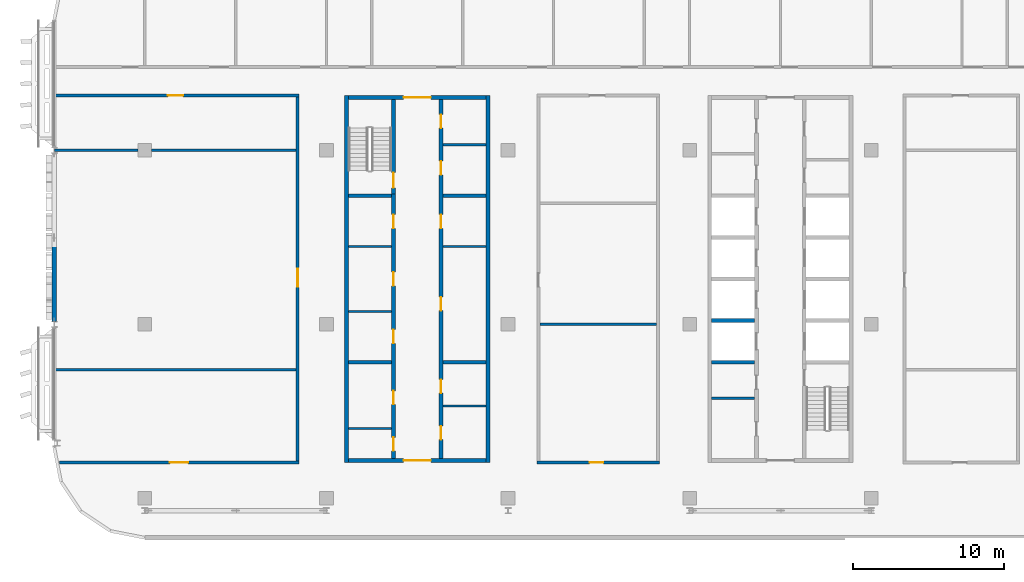
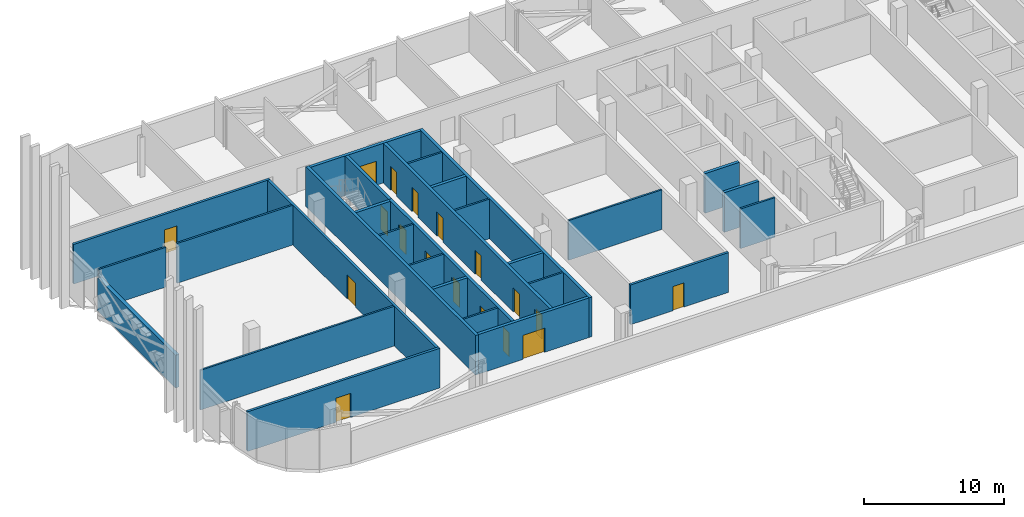
# One storey, part 12 of 30: 29 walls, 18 doors, 18 openings.
"""IFC4 building model written with IfcOpenShell, lengths in metres."""

from ifc_helpers import new_model, si_unit, direction, frame, frame_2d, origin, place, context, subcontext, project, spatial, rectangle, extrude, material, layer, layer_set, type_object, element, fill, save


model = new_model("IFC4")

# Units and contexts
model_context = context("Model", 3, precision=1e-05, world=origin(), true_north=direction((0.0, 1.0)))
body_context = subcontext(model_context, "Body", "Model", "MODEL_VIEW")
ifc_project = project(units=[si_unit("LENGTHUNIT", "METRE"), si_unit("AREAUNIT", "SQUARE_METRE"), si_unit("VOLUMEUNIT", "CUBIC_METRE"), si_unit("PLANEANGLEUNIT", "RADIAN"), si_unit("MASSUNIT", "GRAM", prefix="KILO")], contexts=[model_context])

# Site, building, storey
site_placement = place(None, origin())
site = spatial("IfcSite", under=ifc_project, at=site_placement, CompositionType="ELEMENT")
building_placement = place(site_placement, origin())
building = spatial("IfcBuilding", under=site, at=building_placement, Name="Mahtab Terrace Research Tower", CompositionType="ELEMENT")
storey_placement = place(building_placement, frame((0.0, 0.0, 263.300048828125)))
storey = spatial("IfcBuildingStorey", under=building, at=storey_placement, Name="L64", CompositionType="ELEMENT", Elevation=263.300048828125)

# Walls
ifc_material_1 = material(Name="Gypsum board partition")
ifc_layer_1 = layer(ifc_material_1, 0.14990234375)
ifc_layer_set_1 = layer_set([ifc_layer_1], Name="Core partition 150")
wall_type_1 = type_object("IfcWallType", Name="Core partition 150", PredefinedType="PARTITIONING", material=ifc_layer_set_1)
for number, where, z_axis, x_axis, name in (
    (1, (-28.550048828125, 0.85009765625, 0.0), (0.0, 0.0, 1.0), (1.0, 0.0, 0.0), "Core wall A pWL-215"),
    (2, (-28.550048828125, 5.14990234375, 0.0), (0.0, 0.0, 1.0), (1.0, 0.0, 0.0), "Core wall A pWL215"),
    (3, (-22.300048828125, 5.14990234375, 0.0), (0.0, 0.0, 1.0), (1.0, 0.0, 0.0), "Core wall A pEL215"),
    (4, (-28.550048828125, -6.875, 0.0), (0.0, 0.0, 1.0), (1.0, 0.0, 0.0), "Core wall A pWS-988"),
    (5, (-22.300048828125, -5.39501953125, 0.0), (0.0, 0.0, 1.0), (1.0, 0.0, 0.0), "Core wall A pES-840"),
    (6, (-22.300048828125, 11.875, 0.0), (0.0, 0.0, 1.0), (1.0, 0.0, 0.0), "Core wall A pEN888"),
    (7, (-4.550048828125, -4.875, 0.0), (0.0, 0.0, 1.0), (1.0, 0.0, 0.0), "Core wall B pWS-788"),
):
    element("IfcWall", number, at=place(storey_placement, frame(where, z_axis=z_axis, x_axis=x_axis)), inside=storey, type_object=wall_type_1, Name=name, PredefinedType="PARTITIONING", context=body_context, shape_type="SweptSolid", body=[
        extrude(rectangle(XDim=2.85009765625, YDim=0.14990234375, at=frame_2d((1.425048828125, 0.0))), origin(), (0.0, 0.0, 1.0), 3.4599609375),
    ])
ifc_material_2 = material(Name="Concrete C70/85", Category="concrete")
ifc_layer_2 = layer(ifc_material_2, 0.25)
ifc_layer_set_2 = layer_set([ifc_layer_2], Name="Core wall 250")
wall_type_2 = type_object("IfcWallType", Name="Core wall 250", PredefinedType="SOLIDWALL", material=ifc_layer_set_2)
for number, where, z_axis, x_axis, name in (
    (8, (-28.675048828125, 15.125, 0.0), (0.0, 0.0, 1.0), (0.0, -1.0, 0.0), "Core wall A outerW"),
    (9, (-19.324951171875, -9.125, 0.0), (0.0, 0.0, 1.0), (0.0, 1.0, 0.0), "Core wall A outerE"),
):
    element("IfcWall", number, at=place(storey_placement, frame(where, z_axis=z_axis, x_axis=x_axis)), inside=storey, type_object=wall_type_2, Name=name, PredefinedType="SOLIDWALL", context=body_context, shape_type="SweptSolid", body=[
        extrude(rectangle(XDim=24.25, YDim=0.25, at=frame_2d((12.125, 0.0))), origin(), (0.0, 0.0, 1.0), 3.4599609375),
    ])

# Wall, opening, door
wall_1_placement = place(storey_placement, frame((-19.449951171875, -9.0, 0.0), z_axis=(0.0, 0.0, 1.0), x_axis=(-1.0, 0.0, 0.0)))
wall_1 = element("IfcWall", 10, at=wall_1_placement, inside=storey, type_object=wall_type_2, Name="Core wall A endS", PredefinedType="SOLIDWALL", context=body_context, shape_type="SweptSolid", body=[
    extrude(rectangle(XDim=9.10009765625, YDim=0.25, at=frame_2d((4.550048828125, 0.0))), origin(), (0.0, 0.0, 1.0), 3.4599609375),
])
opening_1_placement = place(wall_1_placement, frame((3.64990234375, 0.0, 0.0)))
opening_1 = element("IfcOpeningElement", 11, at=opening_1_placement, cuts=wall_1, Name="Opening A-S1", PredefinedType="OPENING", context=body_context, shape_type="SweptSolid", body=[
    extrude(rectangle(XDim=1.800048828125, YDim=2.10009765625, at=frame_2d((0.89990234375, 1.050048828125))), frame((0.0, 0.135009765625, 0.0), z_axis=(0.0, -1.0, 0.0), x_axis=(1.0, 0.0, 0.0)), (0.0, 0.0, 1.0), 0.27001953125),
])
ifc_material_3 = material(Name="Steel fire door", Category="steel")
door_type_1 = type_object("IfcDoorType", Name="Lobby double door 1800x2100 1 HR", OperationType="DOUBLE_DOOR_SINGLE_SWING", PredefinedType="DOOR", material=ifc_material_3)
door_1_placement = place(opening_1_placement, origin())
door_1 = element("IfcDoor", 12, at=door_1_placement, inside=storey, type_object=door_type_1, Name="Core entrance door A S", OperationType="DOUBLE_DOOR_SINGLE_SWING", OverallHeight=2.10009765625, OverallWidth=1.800048828125, PredefinedType="DOOR", context=body_context, shape_type="SweptSolid", body=[
    extrude(rectangle(XDim=1.800048828125, YDim=2.10009765625, at=frame_2d((0.89990234375, 1.050048828125))), frame((0.0, 0.02490234375, 0.0), z_axis=(0.0, -1.0, 0.0), x_axis=(1.0, 0.0, 0.0)), (0.0, 0.0, 1.0), 0.050048828125),
])
fill(opening_1, door_1)

wall_2_placement = place(storey_placement, frame((-28.550048828125, 15.0, 0.0), z_axis=(0.0, 0.0, 1.0), x_axis=(1.0, 0.0, 0.0)))
wall_2 = element("IfcWall", 13, at=wall_2_placement, inside=storey, type_object=wall_type_2, Name="Core wall A endN", PredefinedType="SOLIDWALL", context=body_context, shape_type="SweptSolid", body=[
    extrude(rectangle(XDim=9.10009765625, YDim=0.25, at=frame_2d((4.550048828125, 0.0))), origin(), (0.0, 0.0, 1.0), 3.4599609375),
])
opening_2_placement = place(wall_2_placement, frame((3.64990234375, 0.0, 0.0)))
opening_2 = element("IfcOpeningElement", 14, at=opening_2_placement, cuts=wall_2, Name="Opening A-N1", PredefinedType="OPENING", context=body_context, shape_type="SweptSolid", body=[
    extrude(rectangle(XDim=1.800048828125, YDim=2.10009765625, at=frame_2d((0.89990234375, 1.050048828125))), frame((0.0, 0.135009765625, 0.0), z_axis=(0.0, -1.0, 0.0), x_axis=(1.0, 0.0, 0.0)), (0.0, 0.0, 1.0), 0.27001953125),
])
door_2_placement = place(opening_2_placement, origin())
door_2 = element("IfcDoor", 15, at=door_2_placement, inside=storey, type_object=door_type_1, Name="Core entrance door A N", OperationType="DOUBLE_DOOR_SINGLE_SWING", OverallHeight=2.10009765625, OverallWidth=1.800048828125, PredefinedType="DOOR", context=body_context, shape_type="SweptSolid", body=[
    extrude(rectangle(XDim=1.800048828125, YDim=2.10009765625, at=frame_2d((0.89990234375, 1.050048828125))), frame((0.0, 0.02490234375, 0.0), z_axis=(0.0, -1.0, 0.0), x_axis=(1.0, 0.0, 0.0)), (0.0, 0.0, 1.0), 0.050048828125),
])
fill(opening_2, door_2)

# Wall, openings, doors
wall_3_placement = place(storey_placement, frame((-25.574951171875, -8.875, 0.0), z_axis=(0.0, 0.0, 1.0), x_axis=(0.0, 1.0, 0.0)))
wall_3 = element("IfcWall", 16, at=wall_3_placement, inside=storey, type_object=wall_type_2, Name="Core wall A innerWSL", PredefinedType="SOLIDWALL", context=body_context, shape_type="SweptSolid", body=[
    extrude(rectangle(XDim=17.5, YDim=0.25, at=frame_2d((8.75, 0.0))), origin(), (0.0, 0.0, 1.0), 3.4599609375),
])
opening_3_placement = place(wall_3_placement, frame((7.625, 0.0, 0.0)))
opening_3 = element("IfcOpeningElement", 17, at=opening_3_placement, cuts=wall_3, Name="Opening A-R1", PredefinedType="OPENING", context=body_context, shape_type="SweptSolid", body=[
    extrude(rectangle(XDim=0.89990234375, YDim=2.10009765625, at=frame_2d((0.449951171875, 1.050048828125))), frame((0.0, 0.135009765625, 0.0), z_axis=(0.0, -1.0, 0.0), x_axis=(1.0, 0.0, 0.0)), (0.0, 0.0, 1.0), 0.27001953125),
])
opening_4_placement = place(wall_3_placement, frame((11.425048828125, 0.0, 0.0)))
opening_4 = element("IfcOpeningElement", 18, at=opening_4_placement, cuts=wall_3, Name="Opening A-R2", PredefinedType="OPENING", context=body_context, shape_type="SweptSolid", body=[
    extrude(rectangle(XDim=0.89990234375, YDim=2.10009765625, at=frame_2d((0.449951171875, 1.050048828125))), frame((0.0, 0.135009765625, 0.0), z_axis=(0.0, -1.0, 0.0), x_axis=(1.0, 0.0, 0.0)), (0.0, 0.0, 1.0), 0.27001953125),
])
opening_5_placement = place(wall_3_placement, frame((15.22509765625, 0.0, 0.0)))
opening_5 = element("IfcOpeningElement", 19, at=opening_5_placement, cuts=wall_3, Name="Opening A-R3", PredefinedType="OPENING", context=body_context, shape_type="SweptSolid", body=[
    extrude(rectangle(XDim=0.89990234375, YDim=2.10009765625, at=frame_2d((0.449951171875, 1.050048828125))), frame((0.0, 0.135009765625, 0.0), z_axis=(0.0, -1.0, 0.0), x_axis=(1.0, 0.0, 0.0)), (0.0, 0.0, 1.0), 0.27001953125),
])
opening_6_placement = place(wall_3_placement, frame((0.512451171875, 0.0, 0.0)))
opening_6 = element("IfcOpeningElement", 20, at=opening_6_placement, cuts=wall_3, Name="Opening A-R6", PredefinedType="OPENING", context=body_context, shape_type="SweptSolid", body=[
    extrude(rectangle(XDim=0.89990234375, YDim=2.10009765625, at=frame_2d((0.449951171875, 1.050048828125))), frame((0.0, 0.135009765625, 0.0), z_axis=(0.0, -1.0, 0.0), x_axis=(1.0, 0.0, 0.0)), (0.0, 0.0, 1.0), 0.27001953125),
])
opening_7_placement = place(wall_3_placement, frame((3.58740234375, 0.0, 0.0)))
opening_7 = element("IfcOpeningElement", 21, at=opening_7_placement, cuts=wall_3, Name="Opening A-R7", PredefinedType="OPENING", context=body_context, shape_type="SweptSolid", body=[
    extrude(rectangle(XDim=0.89990234375, YDim=2.10009765625, at=frame_2d((0.449951171875, 1.050048828125))), frame((0.0, 0.135009765625, 0.0), z_axis=(0.0, -1.0, 0.0), x_axis=(1.0, 0.0, 0.0)), (0.0, 0.0, 1.0), 0.27001953125),
])
door_type_2 = type_object("IfcDoorType", Name="Room door 900x2100 1 HR", OperationType="NOTDEFINED", PredefinedType="DOOR", material=ifc_material_3)
door_3_placement = place(opening_3_placement, origin())
door_3 = element("IfcDoor", 22, at=door_3_placement, inside=storey, type_object=door_type_2, Name="Electrical room door", OperationType="SINGLE_SWING_LEFT", OverallHeight=2.10009765625, OverallWidth=0.89990234375, PredefinedType="DOOR", context=body_context, shape_type="SweptSolid", body=[
    extrude(rectangle(XDim=0.89990234375, YDim=2.10009765625, at=frame_2d((0.449951171875, 1.050048828125))), frame((0.0, 0.02490234375, 0.0), z_axis=(0.0, -1.0, 0.0), x_axis=(1.0, 0.0, 0.0)), (0.0, 0.0, 1.0), 0.050048828125),
])
fill(opening_3, door_3)
door_4_placement = place(opening_4_placement, origin())
door_4 = element("IfcDoor", 23, at=door_4_placement, inside=storey, type_object=door_type_2, Name="Pantry door", OperationType="SINGLE_SWING_RIGHT", OverallHeight=2.10009765625, OverallWidth=0.89990234375, PredefinedType="DOOR", context=body_context, shape_type="SweptSolid", body=[
    extrude(rectangle(XDim=0.89990234375, YDim=2.10009765625, at=frame_2d((0.449951171875, 1.050048828125))), frame((0.0, 0.02490234375, 0.0), z_axis=(0.0, -1.0, 0.0), x_axis=(1.0, 0.0, 0.0)), (0.0, 0.0, 1.0), 0.050048828125),
])
fill(opening_4, door_4)
door_5_placement = place(opening_5_placement, origin())
door_5 = element("IfcDoor", 24, at=door_5_placement, inside=storey, type_object=door_type_2, Name="Housekeeping store door", OperationType="SINGLE_SWING_LEFT", OverallHeight=2.10009765625, OverallWidth=0.89990234375, PredefinedType="DOOR", context=body_context, shape_type="SweptSolid", body=[
    extrude(rectangle(XDim=0.89990234375, YDim=2.10009765625, at=frame_2d((0.449951171875, 1.050048828125))), frame((0.0, 0.02490234375, 0.0), z_axis=(0.0, -1.0, 0.0), x_axis=(1.0, 0.0, 0.0)), (0.0, 0.0, 1.0), 0.050048828125),
])
fill(opening_5, door_5)
door_6_placement = place(opening_6_placement, origin())
door_6 = element("IfcDoor", 25, at=door_6_placement, inside=storey, type_object=door_type_2, Name="Accessible WC door", OperationType="SINGLE_SWING_RIGHT", OverallHeight=2.10009765625, OverallWidth=0.89990234375, PredefinedType="DOOR", context=body_context, shape_type="SweptSolid", body=[
    extrude(rectangle(XDim=0.89990234375, YDim=2.10009765625, at=frame_2d((0.449951171875, 1.050048828125))), frame((0.0, 0.02490234375, 0.0), z_axis=(0.0, -1.0, 0.0), x_axis=(1.0, 0.0, 0.0)), (0.0, 0.0, 1.0), 0.050048828125),
])
fill(opening_6, door_6)
door_7_placement = place(opening_7_placement, origin())
door_7 = element("IfcDoor", 26, at=door_7_placement, inside=storey, type_object=door_type_2, Name="WC block door", OperationType="SINGLE_SWING_LEFT", OverallHeight=2.10009765625, OverallWidth=0.89990234375, PredefinedType="DOOR", context=body_context, shape_type="SweptSolid", body=[
    extrude(rectangle(XDim=0.89990234375, YDim=2.10009765625, at=frame_2d((0.449951171875, 1.050048828125))), frame((0.0, 0.02490234375, 0.0), z_axis=(0.0, -1.0, 0.0), x_axis=(1.0, 0.0, 0.0)), (0.0, 0.0, 1.0), 0.050048828125),
])
fill(opening_7, door_7)

# Wall, opening, door
wall_4_placement = place(storey_placement, frame((-25.574951171875, 14.875, 0.0), z_axis=(0.0, 0.0, 1.0), x_axis=(0.0, -1.0, 0.0)))
wall_4 = element("IfcWall", 27, at=wall_4_placement, inside=storey, type_object=wall_type_2, Name="Core wall A innerWN", PredefinedType="SOLIDWALL", context=body_context, shape_type="SweptSolid", body=[
    extrude(rectangle(XDim=6.25, YDim=0.25, at=frame_2d((3.125, 0.0))), origin(), (0.0, 0.0, 1.0), 3.4599609375),
])
opening_8_placement = place(wall_4_placement, frame((4.85009765625, 0.0, 0.0)))
opening_8 = element("IfcOpeningElement", 28, at=opening_8_placement, cuts=wall_4, Name="Opening A-ST1", PredefinedType="OPENING", context=body_context, shape_type="SweptSolid", body=[
    extrude(rectangle(XDim=1.0, YDim=2.10009765625, at=frame_2d((0.5, 1.050048828125))), frame((0.0, 0.135009765625, 0.0), z_axis=(0.0, -1.0, 0.0), x_axis=(1.0, 0.0, 0.0)), (0.0, 0.0, 1.0), 0.27001953125),
])
door_type_3 = type_object("IfcDoorType", Name="Stair door 1000x2100 1.5 HR", OperationType="NOTDEFINED", PredefinedType="DOOR", material=ifc_material_3)
door_8_placement = place(opening_8_placement, origin())
door_8 = element("IfcDoor", 29, at=door_8_placement, inside=storey, type_object=door_type_3, Name="Stair door ST1 L64", OperationType="SINGLE_SWING_RIGHT", OverallHeight=2.10009765625, OverallWidth=1.0, PredefinedType="DOOR", context=body_context, shape_type="SweptSolid", body=[
    extrude(rectangle(XDim=1.0, YDim=2.10009765625, at=frame_2d((0.5, 1.050048828125))), frame((0.0, 0.02490234375, 0.0), z_axis=(0.0, -1.0, 0.0), x_axis=(1.0, 0.0, 0.0)), (0.0, 0.0, 1.0), 0.050048828125),
])
fill(opening_8, door_8)

# Wall, openings, doors
wall_5_placement = place(storey_placement, frame((-22.425048828125, 14.875, 0.0), z_axis=(0.0, 0.0, 1.0), x_axis=(0.0, -1.0, 0.0)))
wall_5 = element("IfcWall", 30, at=wall_5_placement, inside=storey, type_object=wall_type_2, Name="Core wall A innerESLN", PredefinedType="SOLIDWALL", context=body_context, shape_type="SweptSolid", body=[
    extrude(rectangle(XDim=23.75, YDim=0.25, at=frame_2d((11.875, 0.0))), origin(), (0.0, 0.0, 1.0), 3.4599609375),
])
opening_9_placement = place(wall_5_placement, frame((13.074951171875, 0.0, 0.0)))
opening_9 = element("IfcOpeningElement", 31, at=opening_9_placement, cuts=wall_5, Name="Opening A-R4", PredefinedType="OPENING", context=body_context, shape_type="SweptSolid", body=[
    extrude(rectangle(XDim=0.89990234375, YDim=2.10009765625, at=frame_2d((0.449951171875, 1.050048828125))), frame((0.0, 0.135009765625, 0.0), z_axis=(0.0, -1.0, 0.0), x_axis=(1.0, 0.0, 0.0)), (0.0, 0.0, 1.0), 0.27001953125),
])
opening_10_placement = place(wall_5_placement, frame((7.625, 0.0, 0.0)))
opening_10 = element("IfcOpeningElement", 32, at=opening_10_placement, cuts=wall_5, Name="Opening A-R5", PredefinedType="OPENING", context=body_context, shape_type="SweptSolid", body=[
    extrude(rectangle(XDim=0.89990234375, YDim=2.10009765625, at=frame_2d((0.449951171875, 1.050048828125))), frame((0.0, 0.135009765625, 0.0), z_axis=(0.0, -1.0, 0.0), x_axis=(1.0, 0.0, 0.0)), (0.0, 0.0, 1.0), 0.27001953125),
])
opening_11_placement = place(wall_5_placement, frame((21.597412109375, 0.0, 0.0)))
opening_11 = element("IfcOpeningElement", 33, at=opening_11_placement, cuts=wall_5, Name="Opening A-R8", PredefinedType="OPENING", context=body_context, shape_type="SweptSolid", body=[
    extrude(rectangle(XDim=0.89990234375, YDim=2.10009765625, at=frame_2d((0.449951171875, 1.050048828125))), frame((0.0, 0.135009765625, 0.0), z_axis=(0.0, -1.0, 0.0), x_axis=(1.0, 0.0, 0.0)), (0.0, 0.0, 1.0), 0.27001953125),
])
opening_12_placement = place(wall_5_placement, frame((18.5224609375, 0.0, 0.0)))
opening_12 = element("IfcOpeningElement", 34, at=opening_12_placement, cuts=wall_5, Name="Opening A-R9", PredefinedType="OPENING", context=body_context, shape_type="SweptSolid", body=[
    extrude(rectangle(XDim=0.89990234375, YDim=2.10009765625, at=frame_2d((0.449951171875, 1.050048828125))), frame((0.0, 0.135009765625, 0.0), z_axis=(0.0, -1.0, 0.0), x_axis=(1.0, 0.0, 0.0)), (0.0, 0.0, 1.0), 0.27001953125),
])
opening_13_placement = place(wall_5_placement, frame((4.08740234375, 0.0, 0.0)))
opening_13 = element("IfcOpeningElement", 35, at=opening_13_placement, cuts=wall_5, Name="Opening A-R10", PredefinedType="OPENING", context=body_context, shape_type="SweptSolid", body=[
    extrude(rectangle(XDim=0.89990234375, YDim=2.10009765625, at=frame_2d((0.449951171875, 1.050048828125))), frame((0.0, 0.135009765625, 0.0), z_axis=(0.0, -1.0, 0.0), x_axis=(1.0, 0.0, 0.0)), (0.0, 0.0, 1.0), 0.27001953125),
])
opening_14_placement = place(wall_5_placement, frame((1.012451171875, 0.0, 0.0)))
opening_14 = element("IfcOpeningElement", 36, at=opening_14_placement, cuts=wall_5, Name="Opening A-R11", PredefinedType="OPENING", context=body_context, shape_type="SweptSolid", body=[
    extrude(rectangle(XDim=0.89990234375, YDim=2.10009765625, at=frame_2d((0.449951171875, 1.050048828125))), frame((0.0, 0.135009765625, 0.0), z_axis=(0.0, -1.0, 0.0), x_axis=(1.0, 0.0, 0.0)), (0.0, 0.0, 1.0), 0.27001953125),
])
door_9_placement = place(opening_9_placement, origin())
door_9 = element("IfcDoor", 37, at=door_9_placement, inside=storey, type_object=door_type_2, Name="Chemical store door", OperationType="SINGLE_SWING_RIGHT", OverallHeight=2.10009765625, OverallWidth=0.89990234375, PredefinedType="DOOR", context=body_context, shape_type="SweptSolid", body=[
    extrude(rectangle(XDim=0.89990234375, YDim=2.10009765625, at=frame_2d((0.449951171875, 1.050048828125))), frame((0.0, 0.02490234375, 0.0), z_axis=(0.0, -1.0, 0.0), x_axis=(1.0, 0.0, 0.0)), (0.0, 0.0, 1.0), 0.050048828125),
])
fill(opening_9, door_9)
door_10_placement = place(opening_10_placement, origin())
door_10 = element("IfcDoor", 38, at=door_10_placement, inside=storey, type_object=door_type_2, Name="Waste room door", OperationType="SINGLE_SWING_LEFT", OverallHeight=2.10009765625, OverallWidth=0.89990234375, PredefinedType="DOOR", context=body_context, shape_type="SweptSolid", body=[
    extrude(rectangle(XDim=0.89990234375, YDim=2.10009765625, at=frame_2d((0.449951171875, 1.050048828125))), frame((0.0, 0.02490234375, 0.0), z_axis=(0.0, -1.0, 0.0), x_axis=(1.0, 0.0, 0.0)), (0.0, 0.0, 1.0), 0.050048828125),
])
fill(opening_10, door_10)
door_11_placement = place(opening_11_placement, origin())
door_11 = element("IfcDoor", 39, at=door_11_placement, inside=storey, type_object=door_type_2, Name="Pantry door", OperationType="SINGLE_SWING_RIGHT", OverallHeight=2.10009765625, OverallWidth=0.89990234375, PredefinedType="DOOR", context=body_context, shape_type="SweptSolid", body=[
    extrude(rectangle(XDim=0.89990234375, YDim=2.10009765625, at=frame_2d((0.449951171875, 1.050048828125))), frame((0.0, 0.02490234375, 0.0), z_axis=(0.0, -1.0, 0.0), x_axis=(1.0, 0.0, 0.0)), (0.0, 0.0, 1.0), 0.050048828125),
])
fill(opening_11, door_11)
door_12_placement = place(opening_12_placement, origin())
door_12 = element("IfcDoor", 40, at=door_12_placement, inside=storey, type_object=door_type_2, Name="Linen store door", OperationType="SINGLE_SWING_LEFT", OverallHeight=2.10009765625, OverallWidth=0.89990234375, PredefinedType="DOOR", context=body_context, shape_type="SweptSolid", body=[
    extrude(rectangle(XDim=0.89990234375, YDim=2.10009765625, at=frame_2d((0.449951171875, 1.050048828125))), frame((0.0, 0.02490234375, 0.0), z_axis=(0.0, -1.0, 0.0), x_axis=(1.0, 0.0, 0.0)), (0.0, 0.0, 1.0), 0.050048828125),
])
fill(opening_12, door_12)
door_13_placement = place(opening_13_placement, origin())
door_13 = element("IfcDoor", 41, at=door_13_placement, inside=storey, type_object=door_type_2, Name="Housekeeping store door", OperationType="SINGLE_SWING_RIGHT", OverallHeight=2.10009765625, OverallWidth=0.89990234375, PredefinedType="DOOR", context=body_context, shape_type="SweptSolid", body=[
    extrude(rectangle(XDim=0.89990234375, YDim=2.10009765625, at=frame_2d((0.449951171875, 1.050048828125))), frame((0.0, 0.02490234375, 0.0), z_axis=(0.0, -1.0, 0.0), x_axis=(1.0, 0.0, 0.0)), (0.0, 0.0, 1.0), 0.050048828125),
])
fill(opening_13, door_13)
door_14_placement = place(opening_14_placement, origin())
door_14 = element("IfcDoor", 42, at=door_14_placement, inside=storey, type_object=door_type_2, Name="Electrical riser room door", OperationType="SINGLE_SWING_LEFT", OverallHeight=2.10009765625, OverallWidth=0.89990234375, PredefinedType="DOOR", context=body_context, shape_type="SweptSolid", body=[
    extrude(rectangle(XDim=0.89990234375, YDim=2.10009765625, at=frame_2d((0.449951171875, 1.050048828125))), frame((0.0, 0.02490234375, 0.0), z_axis=(0.0, -1.0, 0.0), x_axis=(1.0, 0.0, 0.0)), (0.0, 0.0, 1.0), 0.050048828125),
])
fill(opening_14, door_14)

# Walls
for number, where, z_axis, x_axis, name in (
    (43, (-28.550048828125, -2.5, 0.0), (0.0, 0.0, 1.0), (1.0, 0.0, 0.0), "Core wall A divW0"),
    (44, (-28.550048828125, 8.5, 0.0), (0.0, 0.0, 1.0), (1.0, 0.0, 0.0), "Core wall A divW4"),
    (45, (-22.300048828125, -2.5, 0.0), (0.0, 0.0, 1.0), (1.0, 0.0, 0.0), "Core wall A divE0"),
    (46, (-22.300048828125, 8.5, 0.0), (0.0, 0.0, 1.0), (1.0, 0.0, 0.0), "Core wall A divE4"),
    (47, (-4.550048828125, -2.5, 0.0), (0.0, 0.0, 1.0), (1.0, 0.0, 0.0), "Core wall B divW0"),
    (48, (-4.550048828125, 0.25, 0.0), (0.0, 0.0, 1.0), (1.0, 0.0, 0.0), "Core wall B divW1"),
):
    element("IfcWall", number, at=place(storey_placement, frame(where, z_axis=z_axis, x_axis=x_axis)), inside=storey, type_object=wall_type_2, Name=name, PredefinedType="SOLIDWALL", context=body_context, shape_type="SweptSolid", body=[
        extrude(rectangle(XDim=2.85009765625, YDim=0.25, at=frame_2d((1.425048828125, 0.0))), origin(), (0.0, 0.0, 1.0), 3.4599609375),
    ])
ifc_material_4 = material(Name="Black aluminium cladding panel", Category="aluminium")
ifc_layer_3 = layer(ifc_material_4, 0.300048828125)
ifc_layer_set_3 = layer_set([ifc_layer_3], Name="Opaque facade wall 300")
wall_type_3 = type_object("IfcWallType", Name="Opaque facade wall 300", PredefinedType="NOTDEFINED", material=ifc_layer_set_3)
wall_6_placement = place(storey_placement, frame((-48.0, 11.31201171875, 0.0), z_axis=(0.0, 0.0, 1.0), x_axis=(0.0, -1.0, 0.0)))
element("IfcWall", 49, at=wall_6_placement, inside=storey, type_object=wall_type_3, Name="Opaque facade wall L64 W9", PredefinedType="NOTDEFINED", context=body_context, shape_type="SweptSolid", body=[
    extrude(rectangle(XDim=11.1240234375, YDim=0.300048828125, at=frame_2d((5.56201171875, 0.0))), origin(), (0.0, 0.0, 1.0), 2.852783203125),
])

# Wall, opening, door
ifc_material_5 = material(Name="Gypsum board corridor wall on steel studs", Category="steel")
ifc_layer_4 = layer(ifc_material_5, 0.199951171875)
ifc_layer_set_4 = layer_set([ifc_layer_4], Name="WALL CORRIDOR 200")
wall_type_4 = type_object("IfcWallType", Name="WALL CORRIDOR 200", PredefinedType="PARTITIONING", material=ifc_layer_set_4)
wall_7_placement = place(storey_placement, frame((-47.6455078125, -9.125, 0.0), z_axis=(0.0, 0.0, 1.0), x_axis=(1.0, 0.0, 0.0)))
wall_7 = element("IfcWall", 50, at=wall_7_placement, inside=storey, type_object=wall_type_4, Name="L64-W001", PredefinedType="PARTITIONING", context=body_context, shape_type="SweptSolid", body=[
    extrude(rectangle(XDim=15.845458984375, YDim=0.199951171875, at=frame_2d((7.9228515625, 0.0))), origin(), (0.0, 0.0, 1.0), 3.4599609375),
])
opening_15_placement = place(wall_7_placement, frame((7.300048828125, 0.0, 0.0)))
opening_15 = element("IfcOpeningElement", 51, at=opening_15_placement, cuts=wall_7, Name="Opening L64-101", PredefinedType="OPENING", context=body_context, shape_type="SweptSolid", body=[
    extrude(rectangle(XDim=1.199951171875, YDim=2.10009765625, at=frame_2d((0.60009765625, 1.050048828125))), frame((0.0, 0.10986328125, 0.0), z_axis=(0.0, -1.0, 0.0), x_axis=(1.0, 0.0, 0.0)), (0.0, 0.0, 1.0), 0.219970703125),
])
ifc_material_6 = material(Name="Timber door leaf in steel frame", Category="steel")
door_type_4 = type_object("IfcDoorType", Name="DOOR 1200X2100 FD30S", OperationType="SINGLE_SWING_LEFT", PredefinedType="DOOR", material=ifc_material_6)
door_15_placement = place(opening_15_placement, origin())
door_15 = element("IfcDoor", 52, at=door_15_placement, inside=storey, type_object=door_type_4, Name="Door L64-101", OperationType="SINGLE_SWING_LEFT", OverallHeight=2.10009765625, OverallWidth=1.199951171875, PredefinedType="DOOR", context=body_context, shape_type="SweptSolid", body=[
    extrude(rectangle(XDim=1.199951171875, YDim=2.10009765625, at=frame_2d((0.60009765625, 1.050048828125))), frame((0.0, 0.02490234375, 0.0), z_axis=(0.0, -1.0, 0.0), x_axis=(1.0, 0.0, 0.0)), (0.0, 0.0, 1.0), 0.050048828125),
])
fill(opening_15, door_15)

wall_8_placement = place(storey_placement, frame((-16.10009765625, -9.125, 0.0), z_axis=(0.0, 0.0, 1.0), x_axis=(1.0, 0.0, 0.0)))
wall_8 = element("IfcWall", 53, at=wall_8_placement, inside=storey, type_object=wall_type_4, Name="L64-W002", PredefinedType="PARTITIONING", context=body_context, shape_type="SweptSolid", body=[
    extrude(rectangle(XDim=8.10009765625, YDim=0.199951171875, at=frame_2d((4.050048828125, 0.0))), origin(), (0.0, 0.0, 1.0), 3.4599609375),
])
opening_16_placement = place(wall_8_placement, frame((3.5, 0.0, 0.0)))
opening_16 = element("IfcOpeningElement", 54, at=opening_16_placement, cuts=wall_8, Name="Opening L64-103", PredefinedType="OPENING", context=body_context, shape_type="SweptSolid", body=[
    extrude(rectangle(XDim=0.89990234375, YDim=2.10009765625, at=frame_2d((0.449951171875, 1.050048828125))), frame((0.0, 0.10986328125, 0.0), z_axis=(0.0, -1.0, 0.0), x_axis=(1.0, 0.0, 0.0)), (0.0, 0.0, 1.0), 0.219970703125),
])
door_type_5 = type_object("IfcDoorType", Name="DOOR 0900X2100 FD30S", OperationType="SINGLE_SWING_LEFT", PredefinedType="DOOR", material=ifc_material_6)
door_16_placement = place(opening_16_placement, origin())
door_16 = element("IfcDoor", 55, at=door_16_placement, inside=storey, type_object=door_type_5, Name="Door L64-103", OperationType="SINGLE_SWING_LEFT", OverallHeight=2.10009765625, OverallWidth=0.89990234375, PredefinedType="DOOR", context=body_context, shape_type="SweptSolid", body=[
    extrude(rectangle(XDim=0.89990234375, YDim=2.10009765625, at=frame_2d((0.449951171875, 1.050048828125))), frame((0.0, 0.02490234375, 0.0), z_axis=(0.0, -1.0, 0.0), x_axis=(1.0, 0.0, 0.0)), (0.0, 0.0, 1.0), 0.050048828125),
])
fill(opening_16, door_16)

wall_9_placement = place(storey_placement, frame((-47.97509765625, 15.125, 0.0), z_axis=(0.0, 0.0, 1.0), x_axis=(1.0, 0.0, 0.0)))
wall_9 = element("IfcWall", 56, at=wall_9_placement, inside=storey, type_object=wall_type_4, Name="L64-W015", PredefinedType="PARTITIONING", context=body_context, shape_type="SweptSolid", body=[
    extrude(rectangle(XDim=16.175048828125, YDim=0.199951171875, at=frame_2d((8.08740234375, 0.0))), origin(), (0.0, 0.0, 1.0), 3.4599609375),
])
opening_17_placement = place(wall_9_placement, frame((7.5, 0.0, 0.0)))
opening_17 = element("IfcOpeningElement", 57, at=opening_17_placement, cuts=wall_9, Name="Opening L64-111", PredefinedType="OPENING", context=body_context, shape_type="SweptSolid", body=[
    extrude(rectangle(XDim=1.0, YDim=2.10009765625, at=frame_2d((0.5, 1.050048828125))), frame((0.0, 0.10986328125, 0.0), z_axis=(0.0, -1.0, 0.0), x_axis=(1.0, 0.0, 0.0)), (0.0, 0.0, 1.0), 0.219970703125),
])
door_type_6 = type_object("IfcDoorType", Name="DOOR 1000X2100 FD30S", OperationType="SINGLE_SWING_LEFT", PredefinedType="DOOR", material=ifc_material_6)
door_17_placement = place(opening_17_placement, origin())
door_17 = element("IfcDoor", 58, at=door_17_placement, inside=storey, type_object=door_type_6, Name="Door L64-111", OperationType="SINGLE_SWING_RIGHT", OverallHeight=2.10009765625, OverallWidth=1.0, PredefinedType="DOOR", context=body_context, shape_type="SweptSolid", body=[
    extrude(rectangle(XDim=1.0, YDim=2.10009765625, at=frame_2d((0.5, 1.050048828125))), frame((0.0, 0.02490234375, 0.0), z_axis=(0.0, -1.0, 0.0), x_axis=(1.0, 0.0, 0.0)), (0.0, 0.0, 1.0), 0.050048828125),
])
fill(opening_17, door_17)

wall_10_placement = place(storey_placement, frame((-31.89990234375, -9.02490234375, 0.0), z_axis=(0.0, 0.0, 1.0), x_axis=(0.0, 1.0, 0.0)))
wall_10 = element("IfcWall", 59, at=wall_10_placement, inside=storey, type_object=wall_type_4, Name="L64-W022", PredefinedType="PARTITIONING", context=body_context, shape_type="SweptSolid", body=[
    extrude(rectangle(XDim=24.0498046875, YDim=0.199951171875, at=frame_2d((12.02490234375, 0.0))), origin(), (0.0, 0.0, 1.0), 3.4599609375),
])
opening_18_placement = place(wall_10_placement, frame((11.5, 0.0, 0.0)))
opening_18 = element("IfcOpeningElement", 60, at=opening_18_placement, cuts=wall_10, Name="Opening L64-105", PredefinedType="OPENING", context=body_context, shape_type="SweptSolid", body=[
    extrude(rectangle(XDim=1.199951171875, YDim=2.10009765625, at=frame_2d((0.60009765625, 1.050048828125))), frame((0.0, 0.10986328125, 0.0), z_axis=(0.0, -1.0, 0.0), x_axis=(1.0, 0.0, 0.0)), (0.0, 0.0, 1.0), 0.219970703125),
])
door_18_placement = place(opening_18_placement, origin())
door_18 = element("IfcDoor", 61, at=door_18_placement, inside=storey, type_object=door_type_4, Name="Door L64-105", OperationType="SINGLE_SWING_RIGHT", OverallHeight=2.10009765625, OverallWidth=1.199951171875, PredefinedType="DOOR", context=body_context, shape_type="SweptSolid", body=[
    extrude(rectangle(XDim=1.199951171875, YDim=2.10009765625, at=frame_2d((0.60009765625, 1.050048828125))), frame((0.0, 0.02490234375, 0.0), z_axis=(0.0, -1.0, 0.0), x_axis=(1.0, 0.0, 0.0)), (0.0, 0.0, 1.0), 0.050048828125),
])
fill(opening_18, door_18)

# Walls
ifc_material_7 = material(Name="Gypsum board partition on steel studs", Category="steel")
ifc_layer_5 = layer(ifc_material_7, 0.14990234375)
ifc_layer_set_5 = layer_set([ifc_layer_5], Name="WALL PARTITION 150")
wall_type_5 = type_object("IfcWallType", Name="WALL PARTITION 150", PredefinedType="PARTITIONING", material=ifc_layer_set_5)
wall_11_placement = place(storey_placement, frame((-47.97509765625, -3.0, 0.0), z_axis=(0.0, 0.0, 1.0), x_axis=(1.0, 0.0, 0.0)))
element("IfcWall", 62, at=wall_11_placement, inside=storey, type_object=wall_type_5, Name="L64-W005", PredefinedType="PARTITIONING", context=body_context, shape_type="SweptSolid", body=[
    extrude(rectangle(XDim=15.97509765625, YDim=0.14990234375, at=frame_2d((7.987548828125, 0.0))), origin(), (0.0, 0.0, 1.0), 3.4599609375),
])
wall_12_placement = place(storey_placement, frame((-15.89990234375, 0.0, 0.0), z_axis=(0.0, 0.0, 1.0), x_axis=(1.0, 0.0, 0.0)))
element("IfcWall", 63, at=wall_12_placement, inside=storey, type_object=wall_type_5, Name="L64-W007", PredefinedType="PARTITIONING", context=body_context, shape_type="SweptSolid", body=[
    extrude(rectangle(XDim=7.699951171875, YDim=0.14990234375, at=frame_2d((3.85009765625, 0.0))), origin(), (0.0, 0.0, 1.0), 3.4599609375),
])
wall_13_placement = place(storey_placement, frame((-47.97509765625, 11.5, 0.0), z_axis=(0.0, 0.0, 1.0), x_axis=(1.0, 0.0, 0.0)))
element("IfcWall", 64, at=wall_13_placement, inside=storey, type_object=wall_type_5, Name="L64-W012", PredefinedType="PARTITIONING", context=body_context, shape_type="SweptSolid", body=[
    extrude(rectangle(XDim=5.525146484375, YDim=0.14990234375, at=frame_2d((2.7626953125, 0.0))), origin(), (0.0, 0.0, 1.0), 3.4599609375),
])
wall_14_placement = place(storey_placement, frame((-41.550048828125, 11.5, 0.0), z_axis=(0.0, 0.0, 1.0), x_axis=(1.0, 0.0, 0.0)))
element("IfcWall", 65, at=wall_14_placement, inside=storey, type_object=wall_type_5, Name="L64-W013", PredefinedType="PARTITIONING", context=body_context, shape_type="SweptSolid", body=[
    extrude(rectangle(XDim=9.550048828125, YDim=0.14990234375, at=frame_2d((4.77490234375, 0.0))), origin(), (0.0, 0.0, 1.0), 3.4599609375),
])

save(model, "model.ifc")
